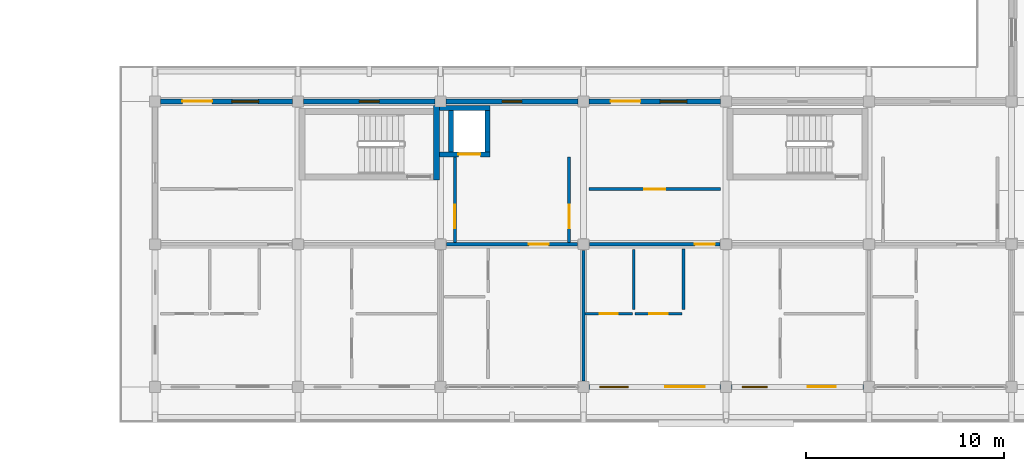
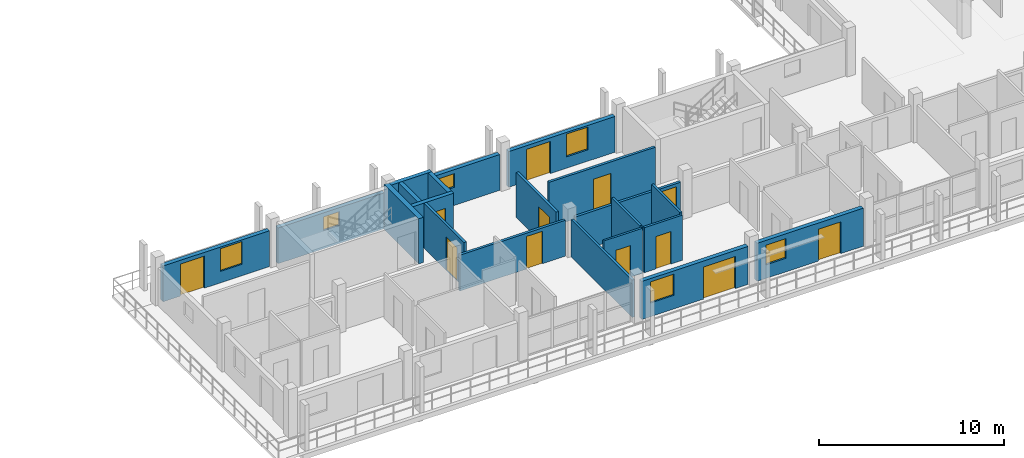
# One storey, part 45 of 73: 21 walls, 12 doors, 6 windows, 18 openings.
"""IFC4 building model written with IfcOpenShell, lengths in metres."""

from ifc_helpers import new_model, si_unit, direction, frame, frame_2d, origin, place, context, subcontext, project, spatial, rectangle, extrude, material, layer, layer_set, type_object, element, fill, save


model = new_model("IFC4")

# Units and contexts
model_context = context("Model", 3, precision=1e-05, world=origin(), true_north=direction((0.0, 1.0)))
body_context = subcontext(model_context, "Body", "Model", "MODEL_VIEW")
ifc_project = project(units=[si_unit("LENGTHUNIT", "METRE"), si_unit("AREAUNIT", "SQUARE_METRE"), si_unit("VOLUMEUNIT", "CUBIC_METRE"), si_unit("PLANEANGLEUNIT", "RADIAN"), si_unit("MASSUNIT", "GRAM", prefix="KILO")], contexts=[model_context])

# Site, building, storey
site_placement = place(None, origin())
site = spatial("IfcSite", under=ifc_project, at=site_placement, CompositionType="ELEMENT")
building_placement = place(site_placement, origin())
building = spatial("IfcBuilding", under=site, at=building_placement, Name="Suanplinth Sawtooth Commons", CompositionType="ELEMENT")
storey_placement = place(building_placement, frame((0.0, 0.0, 21.89990234375)))
storey = spatial("IfcBuildingStorey", under=building, at=storey_placement, Name="L06", CompositionType="ELEMENT", Elevation=21.89990234375)

# Wall
ifc_material_1 = material(Name="Concrete C40/50", Category="concrete")
ifc_layer_1 = layer(ifc_material_1, 0.300048828125, Name="Standard RC stair and lift core wall 300mm")
ifc_layer_set_1 = layer_set([ifc_layer_1], Name="Concrete C40/50")
wall_type_1 = type_object("IfcWallType", Name="W-CR02", PredefinedType="SHEAR", material=ifc_layer_set_1)
wall_1_placement = place(storey_placement, frame((143.800048828125, 10.449951171875, 0.0), z_axis=(0.0, 0.0, 1.0), x_axis=(0.0, 1.0, 0.0)))
element("IfcWall", 1, at=wall_1_placement, inside=storey, type_object=wall_type_1, Name="W-L06-C-C1-STE", PredefinedType="SHEAR", context=body_context, shape_type="SweptSolid", body=[
    extrude(rectangle(XDim=3.75, YDim=0.300048828125, at=frame_2d((1.875, 0.0))), origin(), (0.0, 0.0, 1.0), 2.97998046875),
])

# Wall, openings, door, window
ifc_material_2 = material(Name="Precast concrete C40/50", Category="concrete")
ifc_layer_2 = layer(ifc_material_2, 0.260009765625, Name="Insulated precast courtyard facade wall 260mm")
ifc_layer_set_2 = layer_set([ifc_layer_2], Name="Precast concrete C40/50")
wall_type_2 = type_object("IfcWallType", Name="W-EX02", PredefinedType="ELEMENTEDWALL", material=ifc_layer_set_2)
wall_2_placement = place(storey_placement, frame((129.875, 14.39990234375, 0.0), z_axis=(0.0, 0.0, 1.0), x_axis=(1.0, 0.0, 0.0)))
wall_2 = element("IfcWall", 2, at=wall_2_placement, inside=storey, type_object=wall_type_2, Name="Facade Wall W-L06-C-N-18-1", PredefinedType="ELEMENTEDWALL", context=body_context, shape_type="SweptSolid", body=[
    extrude(rectangle(XDim=6.64990234375, YDim=0.260009765625, at=frame_2d((3.324951171875, 0.0))), origin(), (0.0, 0.0, 1.0), 2.364990234375),
])
opening_1_placement = place(wall_2_placement, frame((1.10009765625, 0.0, 0.0)))
opening_1 = element("IfcOpeningElement", 3, at=opening_1_placement, cuts=wall_2, Name="Opening ED0519", PredefinedType="OPENING", context=body_context, shape_type="SweptSolid", body=[
    extrude(rectangle(XDim=1.5, YDim=2.1201171875, at=frame_2d((0.75, 1.06005859375))), frame((0.0, 0.14501953125, 0.0), z_axis=(0.0, -1.0, 0.0), x_axis=(1.0, 0.0, 0.0)), (0.0, 0.0, 1.0), 0.289794921875),
])
opening_2_placement = place(wall_2_placement, frame((3.60009765625, 0.0, 0.7548828125)))
opening_2 = element("IfcOpeningElement", 4, at=opening_2_placement, cuts=wall_2, Name="Opening W0604", PredefinedType="OPENING", context=body_context, shape_type="SweptSolid", body=[
    extrude(rectangle(XDim=1.35009765625, YDim=1.5, at=frame_2d((0.675048828125, 0.75))), frame((0.0, 0.14501953125, 0.0), z_axis=(0.0, -1.0, 0.0), x_axis=(1.0, 0.0, 0.0)), (0.0, 0.0, 1.0), 0.289794921875),
])
ifc_material_3 = material(Name="Anodized aluminium and low-E glass", Category="aluminium")
door_type_1 = type_object("IfcDoorType", Name="SD-03", OperationType="SLIDING_TO_LEFT", PredefinedType="DOOR", material=ifc_material_3)
door_1_placement = place(opening_1_placement, frame((1.5, 0.0, 0.0), z_axis=(0.0, 0.0, 1.0), x_axis=(-1.0, 0.0, 0.0)))
door_1 = element("IfcDoor", 5, at=door_1_placement, inside=storey, type_object=door_type_1, Name="Courtyard Balcony Door L06-C-18", OperationType="SLIDING_TO_LEFT", OverallHeight=2.1201171875, OverallWidth=1.5, PredefinedType="DOOR", context=body_context, shape_type="SweptSolid", body=[
    extrude(rectangle(XDim=1.5, YDim=2.1201171875, at=frame_2d((0.75, 1.06005859375))), frame((0.0, 0.02490234375, 0.0), z_axis=(0.0, -1.0, 0.0), x_axis=(1.0, 0.0, 0.0)), (0.0, 0.0, 1.0), 0.050048828125),
])
fill(opening_1, door_1)
ifc_material_4 = material(Name="Thermally broken aluminium and low-E double glazing", Category="aluminium")
window_type_1 = type_object("IfcWindowType", Name="WN-14", PartitioningType="SINGLE_PANEL", PredefinedType="WINDOW", material=ifc_material_4)
window_1_placement = place(opening_2_placement, origin())
window_1 = element("IfcWindow", 6, at=window_1_placement, inside=storey, type_object=window_type_1, Name="Courtyard Window L06-C-18", OverallHeight=1.5, OverallWidth=1.35009765625, PartitioningType="SINGLE_PANEL", PredefinedType="WINDOW", context=body_context, shape_type="SweptSolid", body=[
    extrude(rectangle(XDim=1.35009765625, YDim=1.5, at=frame_2d((0.675048828125, 0.75))), frame((0.0, 0.030029296875, 0.0), z_axis=(0.0, -1.0, 0.0), x_axis=(1.0, 0.0, 0.0)), (0.0, 0.0, 1.0), 0.06005859375),
])
fill(opening_2, window_1)

# Wall, opening, window
wall_3_placement = place(storey_placement, frame((137.074951171875, 14.39990234375, 0.0), z_axis=(0.0, 0.0, 1.0), x_axis=(1.0, 0.0, 0.0)))
wall_3 = element("IfcWall", 7, at=wall_3_placement, inside=storey, type_object=wall_type_2, Name="Facade Wall W-L06-C-N-19-1", PredefinedType="ELEMENTEDWALL", context=body_context, shape_type="SweptSolid", body=[
    extrude(rectangle(XDim=6.650146484375, YDim=0.260009765625, at=frame_2d((3.3251953125, 0.0))), origin(), (0.0, 0.0, 1.0), 2.364990234375),
])
opening_3_placement = place(wall_3_placement, frame((2.824951171875, 0.0, 1.199951171875)))
opening_3 = element("IfcOpeningElement", 8, at=opening_3_placement, cuts=wall_3, Name="Opening W0607", PredefinedType="OPENING", context=body_context, shape_type="SweptSolid", body=[
    extrude(rectangle(XDim=1.0, YDim=0.89990234375, at=frame_2d((0.5, 0.449951171875))), frame((0.0, 0.14501953125, 0.0), z_axis=(0.0, -1.0, 0.0), x_axis=(1.0, 0.0, 0.0)), (0.0, 0.0, 1.0), 0.289794921875),
])
window_type_2 = type_object("IfcWindowType", Name="WN-12", PartitioningType="SINGLE_PANEL", PredefinedType="WINDOW", material=ifc_material_4)
window_2_placement = place(opening_3_placement, origin())
window_2 = element("IfcWindow", 9, at=window_2_placement, inside=storey, type_object=window_type_2, Name="Core Daylight Window L06-C-19-1", OverallHeight=0.89990234375, OverallWidth=1.0, PartitioningType="SINGLE_PANEL", PredefinedType="WINDOW", context=body_context, shape_type="SweptSolid", body=[
    extrude(rectangle(XDim=1.0, YDim=0.89990234375, at=frame_2d((0.5, 0.449951171875))), frame((0.0, 0.030029296875, 0.0), z_axis=(0.0, -1.0, 0.0), x_axis=(1.0, 0.0, 0.0)), (0.0, 0.0, 1.0), 0.06005859375),
])
fill(opening_3, window_2)

wall_4_placement = place(storey_placement, frame((144.27490234375, 14.39990234375, 0.0), z_axis=(0.0, 0.0, 1.0), x_axis=(1.0, 0.0, 0.0)))
wall_4 = element("IfcWall", 10, at=wall_4_placement, inside=storey, type_object=wall_type_2, Name="Facade Wall W-L06-C-N-20-1", PredefinedType="ELEMENTEDWALL", context=body_context, shape_type="SweptSolid", body=[
    extrude(rectangle(XDim=6.650146484375, YDim=0.260009765625, at=frame_2d((3.3251953125, 0.0))), origin(), (0.0, 0.0, 1.0), 2.364990234375),
])
opening_4_placement = place(wall_4_placement, frame((2.824951171875, 0.0, 1.199951171875)))
opening_4 = element("IfcOpeningElement", 11, at=opening_4_placement, cuts=wall_4, Name="Opening W0608", PredefinedType="OPENING", context=body_context, shape_type="SweptSolid", body=[
    extrude(rectangle(XDim=1.0, YDim=0.89990234375, at=frame_2d((0.5, 0.449951171875))), frame((0.0, 0.14501953125, 0.0), z_axis=(0.0, -1.0, 0.0), x_axis=(1.0, 0.0, 0.0)), (0.0, 0.0, 1.0), 0.289794921875),
])
window_3_placement = place(opening_4_placement, origin())
window_3 = element("IfcWindow", 12, at=window_3_placement, inside=storey, type_object=window_type_2, Name="Core Daylight Window L06-C-20-1", OverallHeight=0.89990234375, OverallWidth=1.0, PartitioningType="SINGLE_PANEL", PredefinedType="WINDOW", context=body_context, shape_type="SweptSolid", body=[
    extrude(rectangle(XDim=1.0, YDim=0.89990234375, at=frame_2d((0.5, 0.449951171875))), frame((0.0, 0.030029296875, 0.0), z_axis=(0.0, -1.0, 0.0), x_axis=(1.0, 0.0, 0.0)), (0.0, 0.0, 1.0), 0.06005859375),
])
fill(opening_4, window_3)

# Wall, openings, door, window
wall_5_placement = place(storey_placement, frame((151.47509765625, 0.0, 0.0), z_axis=(0.0, 0.0, 1.0), x_axis=(1.0, 0.0, 0.0)))
wall_5 = element("IfcWall", 13, at=wall_5_placement, inside=storey, type_object=wall_type_2, Name="Facade Wall W-L06-C-S-21-0", PredefinedType="ELEMENTEDWALL", context=body_context, shape_type="SweptSolid", body=[
    extrude(rectangle(XDim=6.64990234375, YDim=0.260009765625, at=frame_2d((3.324951171875, 0.0))), origin(), (0.0, 0.0, 1.0), 2.51513671875),
])
opening_5_placement = place(wall_5_placement, frame((3.85009765625, 0.0, 0.0)))
opening_5 = element("IfcOpeningElement", 14, at=opening_5_placement, cuts=wall_5, Name="Opening ED0521", PredefinedType="OPENING", context=body_context, shape_type="SweptSolid", body=[
    extrude(rectangle(XDim=2.0, YDim=2.1201171875, at=frame_2d((1.0, 1.06005859375))), frame((0.0, 0.14501953125, 0.0), z_axis=(0.0, -1.0, 0.0), x_axis=(1.0, 0.0, 0.0)), (0.0, 0.0, 1.0), 0.289794921875),
])
opening_6_placement = place(wall_5_placement, frame((0.550048828125, 0.0, 0.89990234375)))
opening_6 = element("IfcOpeningElement", 15, at=opening_6_placement, cuts=wall_5, Name="Opening W0609", PredefinedType="OPENING", context=body_context, shape_type="SweptSolid", body=[
    extrude(rectangle(XDim=1.449951171875, YDim=1.39990234375, at=frame_2d((0.72509765625, 0.699951171875))), frame((0.0, 0.14501953125, 0.0), z_axis=(0.0, -1.0, 0.0), x_axis=(1.0, 0.0, 0.0)), (0.0, 0.0, 1.0), 0.289794921875),
])
door_type_2 = type_object("IfcDoorType", Name="SD-06", OperationType="DOUBLE_DOOR_SLIDING", PredefinedType="DOOR", material=ifc_material_3)
door_2_placement = place(opening_5_placement, frame((2.0, 0.0, 0.0), z_axis=(0.0, 0.0, 1.0), x_axis=(-1.0, 0.0, 0.0)))
door_2 = element("IfcDoor", 16, at=door_2_placement, inside=storey, type_object=door_type_2, Name="Balcony Sliding Door L06-C-21", OperationType="DOUBLE_DOOR_SLIDING", OverallHeight=2.1201171875, OverallWidth=2.0, PredefinedType="DOOR", context=body_context, shape_type="SweptSolid", body=[
    extrude(rectangle(XDim=2.0, YDim=2.1201171875, at=frame_2d((1.0, 1.06005859375))), frame((0.0, 0.02490234375, 0.0), z_axis=(0.0, -1.0, 0.0), x_axis=(1.0, 0.0, 0.0)), (0.0, 0.0, 1.0), 0.050048828125),
])
fill(opening_5, door_2)
window_type_3 = type_object("IfcWindowType", Name="WN-16", PartitioningType="DOUBLE_PANEL_VERTICAL", PredefinedType="WINDOW", material=ifc_material_4)
window_4_placement = place(opening_6_placement, origin())
window_4 = element("IfcWindow", 17, at=window_4_placement, inside=storey, type_object=window_type_3, Name="Apartment Window L06-C-21", OverallHeight=1.39990234375, OverallWidth=1.449951171875, PartitioningType="DOUBLE_PANEL_VERTICAL", PredefinedType="WINDOW", context=body_context, shape_type="SweptSolid", body=[
    extrude(rectangle(XDim=1.449951171875, YDim=1.39990234375, at=frame_2d((0.72509765625, 0.699951171875))), frame((0.0, 0.030029296875, 0.0), z_axis=(0.0, -1.0, 0.0), x_axis=(1.0, 0.0, 0.0)), (0.0, 0.0, 1.0), 0.06005859375),
])
fill(opening_6, window_4)

wall_6_placement = place(storey_placement, frame((151.47509765625, 14.39990234375, 0.0), z_axis=(0.0, 0.0, 1.0), x_axis=(1.0, 0.0, 0.0)))
wall_6 = element("IfcWall", 18, at=wall_6_placement, inside=storey, type_object=wall_type_2, Name="Facade Wall W-L06-C-N-21-1", PredefinedType="ELEMENTEDWALL", context=body_context, shape_type="SweptSolid", body=[
    extrude(rectangle(XDim=6.64990234375, YDim=0.260009765625, at=frame_2d((3.324951171875, 0.0))), origin(), (0.0, 0.0, 1.0), 2.364990234375),
])
opening_7_placement = place(wall_6_placement, frame((1.10009765625, 0.0, 0.0)))
opening_7 = element("IfcOpeningElement", 19, at=opening_7_placement, cuts=wall_6, Name="Opening ED0522", PredefinedType="OPENING", context=body_context, shape_type="SweptSolid", body=[
    extrude(rectangle(XDim=1.5, YDim=2.1201171875, at=frame_2d((0.75, 1.06005859375))), frame((0.0, 0.14501953125, 0.0), z_axis=(0.0, -1.0, 0.0), x_axis=(1.0, 0.0, 0.0)), (0.0, 0.0, 1.0), 0.289794921875),
])
opening_8_placement = place(wall_6_placement, frame((3.60009765625, 0.0, 0.7548828125)))
opening_8 = element("IfcOpeningElement", 20, at=opening_8_placement, cuts=wall_6, Name="Opening W0610", PredefinedType="OPENING", context=body_context, shape_type="SweptSolid", body=[
    extrude(rectangle(XDim=1.35009765625, YDim=1.5, at=frame_2d((0.675048828125, 0.75))), frame((0.0, 0.14501953125, 0.0), z_axis=(0.0, -1.0, 0.0), x_axis=(1.0, 0.0, 0.0)), (0.0, 0.0, 1.0), 0.289794921875),
])
door_3_placement = place(opening_7_placement, frame((1.5, 0.0, 0.0), z_axis=(0.0, 0.0, 1.0), x_axis=(-1.0, 0.0, 0.0)))
door_3 = element("IfcDoor", 21, at=door_3_placement, inside=storey, type_object=door_type_1, Name="Courtyard Balcony Door L06-C-21", OperationType="SLIDING_TO_LEFT", OverallHeight=2.1201171875, OverallWidth=1.5, PredefinedType="DOOR", context=body_context, shape_type="SweptSolid", body=[
    extrude(rectangle(XDim=1.5, YDim=2.1201171875, at=frame_2d((0.75, 1.06005859375))), frame((0.0, 0.02490234375, 0.0), z_axis=(0.0, -1.0, 0.0), x_axis=(1.0, 0.0, 0.0)), (0.0, 0.0, 1.0), 0.050048828125),
])
fill(opening_7, door_3)
window_5_placement = place(opening_8_placement, origin())
window_5 = element("IfcWindow", 22, at=window_5_placement, inside=storey, type_object=window_type_1, Name="Courtyard Window L06-C-21", OverallHeight=1.5, OverallWidth=1.35009765625, PartitioningType="SINGLE_PANEL", PredefinedType="WINDOW", context=body_context, shape_type="SweptSolid", body=[
    extrude(rectangle(XDim=1.35009765625, YDim=1.5, at=frame_2d((0.675048828125, 0.75))), frame((0.0, 0.030029296875, 0.0), z_axis=(0.0, -1.0, 0.0), x_axis=(1.0, 0.0, 0.0)), (0.0, 0.0, 1.0), 0.06005859375),
])
fill(opening_8, window_5)

wall_7_placement = place(storey_placement, frame((158.675048828125, 0.0, 0.0), z_axis=(0.0, 0.0, 1.0), x_axis=(1.0, 0.0, 0.0)))
wall_7 = element("IfcWall", 23, at=wall_7_placement, inside=storey, type_object=wall_type_2, Name="Facade Wall W-L06-C-S-22-0", PredefinedType="ELEMENTEDWALL", context=body_context, shape_type="SweptSolid", body=[
    extrude(rectangle(XDim=6.64990234375, YDim=0.260009765625, at=frame_2d((3.324951171875, 0.0))), origin(), (0.0, 0.0, 1.0), 2.51513671875),
])
opening_9_placement = place(wall_7_placement, frame((3.85009765625, 0.0, 0.0)))
opening_9 = element("IfcOpeningElement", 24, at=opening_9_placement, cuts=wall_7, Name="Opening ED0523", PredefinedType="OPENING", context=body_context, shape_type="SweptSolid", body=[
    extrude(rectangle(XDim=1.39990234375, YDim=2.10009765625, at=frame_2d((0.699951171875, 1.050048828125))), frame((0.0, 0.14501953125, 0.0), z_axis=(0.0, -1.0, 0.0), x_axis=(1.0, 0.0, 0.0)), (0.0, 0.0, 1.0), 0.289794921875),
])
opening_10_placement = place(wall_7_placement, frame((0.550048828125, 0.0, 0.89990234375)))
opening_10 = element("IfcOpeningElement", 25, at=opening_10_placement, cuts=wall_7, Name="Opening W0611", PredefinedType="OPENING", context=body_context, shape_type="SweptSolid", body=[
    extrude(rectangle(XDim=1.25, YDim=1.300048828125, at=frame_2d((0.625, 0.64990234375))), frame((0.0, 0.14501953125, 0.0), z_axis=(0.0, -1.0, 0.0), x_axis=(1.0, 0.0, 0.0)), (0.0, 0.0, 1.0), 0.289794921875),
])
door_type_3 = type_object("IfcDoorType", Name="SD-07", OperationType="SLIDING_TO_RIGHT", PredefinedType="DOOR", material=ifc_material_3)
door_4_placement = place(opening_9_placement, frame((1.39990234375, 0.0, 0.0), z_axis=(0.0, 0.0, 1.0), x_axis=(-1.0, 0.0, 0.0)))
door_4 = element("IfcDoor", 26, at=door_4_placement, inside=storey, type_object=door_type_3, Name="Balcony Sliding Door L06-C-22", OperationType="SLIDING_TO_RIGHT", OverallHeight=2.10009765625, OverallWidth=1.39990234375, PredefinedType="DOOR", context=body_context, shape_type="SweptSolid", body=[
    extrude(rectangle(XDim=1.39990234375, YDim=2.10009765625, at=frame_2d((0.699951171875, 1.050048828125))), frame((0.0, 0.02490234375, 0.0), z_axis=(0.0, -1.0, 0.0), x_axis=(1.0, 0.0, 0.0)), (0.0, 0.0, 1.0), 0.050048828125),
])
fill(opening_9, door_4)
window_type_4 = type_object("IfcWindowType", Name="WN-17", PartitioningType="SINGLE_PANEL", PredefinedType="WINDOW", material=ifc_material_4)
window_6_placement = place(opening_10_placement, origin())
window_6 = element("IfcWindow", 27, at=window_6_placement, inside=storey, type_object=window_type_4, Name="Apartment Window L06-C-22", OverallHeight=1.300048828125, OverallWidth=1.25, PartitioningType="SINGLE_PANEL", PredefinedType="WINDOW", context=body_context, shape_type="SweptSolid", body=[
    extrude(rectangle(XDim=1.25, YDim=1.300048828125, at=frame_2d((0.625, 0.64990234375))), frame((0.0, 0.030029296875, 0.0), z_axis=(0.0, -1.0, 0.0), x_axis=(1.0, 0.0, 0.0)), (0.0, 0.0, 1.0), 0.06005859375),
])
fill(opening_10, window_6)

# Wall, opening, door
ifc_layer_3 = layer(ifc_material_2, 0.159912109375, Name="Fire-rated corridor and lobby wall 160mm")
ifc_layer_set_3 = layer_set([ifc_layer_3], Name="Precast concrete C40/50")
wall_type_3 = type_object("IfcWallType", Name="W-FW01", PredefinedType="PARTITIONING", material=ifc_layer_set_3)
wall_8_placement = place(storey_placement, frame((144.719970703125, 7.280029296875, 0.0), z_axis=(0.0, 0.0, 1.0), x_axis=(0.0, 1.0, 0.0)))
wall_8 = element("IfcWall", 28, at=wall_8_placement, inside=storey, type_object=wall_type_3, Name="W-L06-C-C1-LOB-W", PredefinedType="PARTITIONING", context=body_context, shape_type="SweptSolid", body=[
    extrude(rectangle(XDim=4.320068359375, YDim=0.159912109375, at=frame_2d((2.16015625, 0.0))), origin(), (0.0, 0.0, 1.0), 2.97998046875),
])
opening_11_placement = place(wall_8_placement, frame((0.719970703125, 0.0, 0.0)))
opening_11 = element("IfcOpeningElement", 29, at=opening_11_placement, cuts=wall_8, Name="Opening FD0305", PredefinedType="OPENING", context=body_context, shape_type="SweptSolid", body=[
    extrude(rectangle(XDim=1.199951171875, YDim=2.199951171875, at=frame_2d((0.60009765625, 1.10009765625))), frame((0.0, 0.0947265625, 0.0), z_axis=(0.0, -1.0, 0.0), x_axis=(1.0, 0.0, 0.0)), (0.0, 0.0, 1.0), 0.189697265625),
])
ifc_material_5 = material(Name="Teak hardwood fire-rated door assembly", Category="wood")
door_type_4 = type_object("IfcDoorType", Name="FD-02", OperationType="NOTDEFINED", PredefinedType="DOOR", material=ifc_material_5)
door_5_placement = place(opening_11_placement, origin())
door_5 = element("IfcDoor", 30, at=door_5_placement, inside=storey, type_object=door_type_4, Name="Lobby Fire Door FD0305", OperationType="SINGLE_SWING_LEFT", OverallHeight=2.199951171875, OverallWidth=1.199951171875, PredefinedType="DOOR", context=body_context, shape_type="SweptSolid", body=[
    extrude(rectangle(XDim=1.199951171875, YDim=2.199951171875, at=frame_2d((0.60009765625, 1.10009765625))), frame((0.0, 0.02490234375, 0.0), z_axis=(0.0, -1.0, 0.0), x_axis=(1.0, 0.0, 0.0)), (0.0, 0.0, 1.0), 0.050048828125),
])
fill(opening_11, door_5)

wall_9_placement = place(storey_placement, frame((150.47998046875, 7.280029296875, 0.0), z_axis=(0.0, 0.0, 1.0), x_axis=(0.0, 1.0, 0.0)))
wall_9 = element("IfcWall", 31, at=wall_9_placement, inside=storey, type_object=wall_type_3, Name="W-L06-C-C1-LOB-E", PredefinedType="PARTITIONING", context=body_context, shape_type="SweptSolid", body=[
    extrude(rectangle(XDim=4.320068359375, YDim=0.159912109375, at=frame_2d((2.16015625, 0.0))), origin(), (0.0, 0.0, 1.0), 2.97998046875),
])
opening_12_placement = place(wall_9_placement, frame((0.719970703125, 0.0, 0.0)))
opening_12 = element("IfcOpeningElement", 32, at=opening_12_placement, cuts=wall_9, Name="Opening FD0306", PredefinedType="OPENING", context=body_context, shape_type="SweptSolid", body=[
    extrude(rectangle(XDim=1.199951171875, YDim=2.199951171875, at=frame_2d((0.60009765625, 1.10009765625))), frame((0.0, 0.0947265625, 0.0), z_axis=(0.0, -1.0, 0.0), x_axis=(1.0, 0.0, 0.0)), (0.0, 0.0, 1.0), 0.189697265625),
])
door_6_placement = place(opening_12_placement, frame((1.199951171875, 0.0, 0.0), z_axis=(0.0, 0.0, 1.0), x_axis=(-1.0, 0.0, 0.0)))
door_6 = element("IfcDoor", 33, at=door_6_placement, inside=storey, type_object=door_type_4, Name="Lobby Fire Door FD0306", OperationType="SINGLE_SWING_RIGHT", OverallHeight=2.199951171875, OverallWidth=1.199951171875, PredefinedType="DOOR", context=body_context, shape_type="SweptSolid", body=[
    extrude(rectangle(XDim=1.199951171875, YDim=2.199951171875, at=frame_2d((0.60009765625, 1.10009765625))), frame((0.0, 0.02490234375, 0.0), z_axis=(0.0, -1.0, 0.0), x_axis=(1.0, 0.0, 0.0)), (0.0, 0.0, 1.0), 0.050048828125),
])
fill(opening_12, door_6)

wall_10_placement = place(storey_placement, frame((144.304931640625, 7.199951171875, 0.0), z_axis=(0.0, 0.0, 1.0), x_axis=(1.0, 0.0, 0.0)))
wall_10 = element("IfcWall", 34, at=wall_10_placement, inside=storey, type_object=wall_type_3, Name="W-C-L06-U02-COR", PredefinedType="PARTITIONING", context=body_context, shape_type="SweptSolid", body=[
    extrude(rectangle(XDim=6.590087890625, YDim=0.159912109375, at=frame_2d((3.294921875, 0.0))), origin(), (0.0, 0.0, 1.0), 2.364990234375),
])
opening_13_placement = place(wall_10_placement, frame((4.14501953125, 0.0, 0.0)))
opening_13 = element("IfcOpeningElement", 35, at=opening_13_placement, cuts=wall_10, Name="Opening FD1443", PredefinedType="OPENING", context=body_context, shape_type="SweptSolid", body=[
    extrude(rectangle(XDim=1.0, YDim=2.14990234375, at=frame_2d((0.5, 1.074951171875))), frame((0.0, 0.0947265625, 0.0), z_axis=(0.0, -1.0, 0.0), x_axis=(1.0, 0.0, 0.0)), (0.0, 0.0, 1.0), 0.189697265625),
])
door_type_5 = type_object("IfcDoorType", Name="FD-03", OperationType="NOTDEFINED", PredefinedType="DOOR", material=ifc_material_5)
door_7_placement = place(opening_13_placement, frame((1.0, 0.0, 0.0), z_axis=(0.0, 0.0, 1.0), x_axis=(-1.0, 0.0, 0.0)))
door_7 = element("IfcDoor", 36, at=door_7_placement, inside=storey, type_object=door_type_5, Name="Unit Entrance Door FD1443", OperationType="SINGLE_SWING_LEFT", OverallHeight=2.14990234375, OverallWidth=1.0, PredefinedType="DOOR", context=body_context, shape_type="SweptSolid", body=[
    extrude(rectangle(XDim=1.0, YDim=2.14990234375, at=frame_2d((0.5, 1.074951171875))), frame((0.0, 0.02490234375, 0.0), z_axis=(0.0, -1.0, 0.0), x_axis=(1.0, 0.0, 0.0)), (0.0, 0.0, 1.0), 0.050048828125),
])
fill(opening_13, door_7)

wall_11_placement = place(storey_placement, frame((151.5048828125, 7.199951171875, 0.0), z_axis=(0.0, 0.0, 1.0), x_axis=(1.0, 0.0, 0.0)))
wall_11 = element("IfcWall", 37, at=wall_11_placement, inside=storey, type_object=wall_type_3, Name="W-C-L06-U03-COR-S1", PredefinedType="PARTITIONING", context=body_context, shape_type="SweptSolid", body=[
    extrude(rectangle(XDim=6.590087890625, YDim=0.159912109375, at=frame_2d((3.294921875, 0.0))), origin(), (0.0, 0.0, 1.0), 2.364990234375),
])
opening_14_placement = place(wall_11_placement, frame((5.324951171875, 0.0, 0.0)))
opening_14 = element("IfcOpeningElement", 38, at=opening_14_placement, cuts=wall_11, Name="Opening FD1446", PredefinedType="OPENING", context=body_context, shape_type="SweptSolid", body=[
    extrude(rectangle(XDim=1.0, YDim=2.14990234375, at=frame_2d((0.5, 1.074951171875))), frame((0.0, 0.0947265625, 0.0), z_axis=(0.0, -1.0, 0.0), x_axis=(1.0, 0.0, 0.0)), (0.0, 0.0, 1.0), 0.189697265625),
])
door_8_placement = place(opening_14_placement, frame((1.0, 0.0, 0.0), z_axis=(0.0, 0.0, 1.0), x_axis=(-1.0, 0.0, 0.0)))
door_8 = element("IfcDoor", 39, at=door_8_placement, inside=storey, type_object=door_type_5, Name="Unit Entrance Door FD1446", OperationType="SINGLE_SWING_RIGHT", OverallHeight=2.14990234375, OverallWidth=1.0, PredefinedType="DOOR", context=body_context, shape_type="SweptSolid", body=[
    extrude(rectangle(XDim=1.0, YDim=2.14990234375, at=frame_2d((0.5, 1.074951171875))), frame((0.0, 0.02490234375, 0.0), z_axis=(0.0, -1.0, 0.0), x_axis=(1.0, 0.0, 0.0)), (0.0, 0.0, 1.0), 0.050048828125),
])
fill(opening_14, door_8)

wall_12_placement = place(storey_placement, frame((151.47998046875, 9.97998046875, 0.0), z_axis=(0.0, 0.0, 1.0), x_axis=(1.0, 0.0, 0.0)))
wall_12 = element("IfcWall", 40, at=wall_12_placement, inside=storey, type_object=wall_type_3, Name="W-C-L06-COURTROOM-41-COR", PredefinedType="PARTITIONING", context=body_context, shape_type="SweptSolid", body=[
    extrude(rectangle(XDim=6.64013671875, YDim=0.159912109375, at=frame_2d((3.320068359375, 0.0))), origin(), (0.0, 0.0, 1.0), 2.97998046875),
])
opening_15_placement = place(wall_12_placement, frame((2.780029296875, 0.0, 0.0)))
opening_15 = element("IfcOpeningElement", 41, at=opening_15_placement, cuts=wall_12, Name="Opening D1460", PredefinedType="OPENING", context=body_context, shape_type="SweptSolid", body=[
    extrude(rectangle(XDim=1.080078125, YDim=2.219970703125, at=frame_2d((0.5400390625, 1.10986328125))), frame((0.0, 0.0947265625, 0.0), z_axis=(0.0, -1.0, 0.0), x_axis=(1.0, 0.0, 0.0)), (0.0, 0.0, 1.0), 0.189697265625),
])
ifc_material_6 = material(Name="Teak hardwood", Category="wood")
door_type_6 = type_object("IfcDoorType", Name="D-17", OperationType="NOTDEFINED", PredefinedType="DOOR", material=ifc_material_6)
door_9_placement = place(opening_15_placement, origin())
door_9 = element("IfcDoor", 42, at=door_9_placement, inside=storey, type_object=door_type_6, Name="Study Studio Door D1460", OperationType="SINGLE_SWING_RIGHT", OverallHeight=2.219970703125, OverallWidth=1.080078125, PredefinedType="DOOR", context=body_context, shape_type="SweptSolid", body=[
    extrude(rectangle(XDim=1.080078125, YDim=2.219970703125, at=frame_2d((0.5400390625, 1.10986328125))), frame((0.0, 0.02490234375, 0.0), z_axis=(0.0, -1.0, 0.0), x_axis=(1.0, 0.0, 0.0)), (0.0, 0.0, 1.0), 0.050048828125),
])
fill(opening_15, door_9)

# Wall
ifc_layer_4 = layer(ifc_material_2, 0.14990234375, Name="Acoustic precast party demising wall 150mm")
ifc_layer_set_4 = layer_set([ifc_layer_4], Name="Precast concrete C40/50")
wall_type_4 = type_object("IfcWallType", Name="W-FW02", PredefinedType="PARTITIONING", material=ifc_layer_set_4)
wall_13_placement = place(storey_placement, frame((151.199951171875, 0.304931640625, 0.0), z_axis=(0.0, 0.0, 1.0), x_axis=(0.0, 1.0, 0.0)))
element("IfcWall", 43, at=wall_13_placement, inside=storey, type_object=wall_type_4, Name="W-C-L06-U02-PTY", PredefinedType="PARTITIONING", context=body_context, shape_type="SweptSolid", body=[
    extrude(rectangle(XDim=6.590087890625, YDim=0.14990234375, at=frame_2d((3.294921875, 0.0))), origin(), (0.0, 0.0, 1.0), 2.465087890625),
])

# Wall, opening, door
ifc_material_7 = material(Name="Gypsum plasterboard on steel stud", Category="steel")
ifc_layer_5 = layer(ifc_material_7, 0.139892578125, Name="Fire-rated kitchen partition 140mm")
ifc_layer_set_5 = layer_set([ifc_layer_5], Name="Gypsum plasterboard on steel stud")
wall_type_5 = type_object("IfcWallType", Name="W-PT01", PredefinedType="PARTITIONING", material=ifc_layer_set_5)
wall_14_placement = place(storey_placement, frame((153.800048828125, 3.68994140625, 0.0), z_axis=(0.0, 0.0, 1.0), x_axis=(1.0, 0.0, 0.0)))
wall_14 = element("IfcWall", 44, at=wall_14_placement, inside=storey, type_object=wall_type_5, Name="W-C-L06-U03-KIT1", PredefinedType="PARTITIONING", context=body_context, shape_type="SweptSolid", body=[
    extrude(rectangle(XDim=2.3798828125, YDim=0.139892578125, at=frame_2d((1.18994140625, 0.0))), origin(), (0.0, 0.0, 1.0), 2.97998046875),
])
opening_16_placement = place(wall_14_placement, frame((0.72509765625, 0.0, 0.0)))
opening_16 = element("IfcOpeningElement", 45, at=opening_16_placement, cuts=wall_14, Name="Opening D1448", PredefinedType="OPENING", context=body_context, shape_type="SweptSolid", body=[
    extrude(rectangle(XDim=0.929931640625, YDim=2.139892578125, at=frame_2d((0.46484375, 1.06982421875))), frame((0.0, 0.0849609375, 0.0), z_axis=(0.0, -1.0, 0.0), x_axis=(1.0, 0.0, 0.0)), (0.0, 0.0, 1.0), 0.169677734375),
])
door_type_7 = type_object("IfcDoorType", Name="D-19", OperationType="NOTDEFINED", PredefinedType="DOOR", material=ifc_material_6)
door_10_placement = place(opening_16_placement, origin())
door_10 = element("IfcDoor", 46, at=door_10_placement, inside=storey, type_object=door_type_7, Name="Kitchen Door D1448", OperationType="SINGLE_SWING_RIGHT", OverallHeight=2.139892578125, OverallWidth=0.929931640625, PredefinedType="DOOR", context=body_context, shape_type="SweptSolid", body=[
    extrude(rectangle(XDim=0.929931640625, YDim=2.139892578125, at=frame_2d((0.46484375, 1.06982421875))), frame((0.0, 0.02490234375, 0.0), z_axis=(0.0, -1.0, 0.0), x_axis=(1.0, 0.0, 0.0)), (0.0, 0.0, 1.0), 0.050048828125),
])
fill(opening_16, door_10)

# Wall
wall_15_placement = place(storey_placement, frame((156.25, 3.909912109375, 0.0), z_axis=(0.0, 0.0, 1.0), x_axis=(0.0, 1.0, 0.0)))
element("IfcWall", 47, at=wall_15_placement, inside=storey, type_object=wall_type_5, Name="W-C-L06-U03-KIT2", PredefinedType="PARTITIONING", context=body_context, shape_type="SweptSolid", body=[
    extrude(rectangle(XDim=3.06005859375, YDim=0.139892578125, at=frame_2d((1.530029296875, 0.0))), origin(), (0.0, 0.0, 1.0), 2.97998046875),
])

# Wall, opening, door
ifc_layer_6 = layer(ifc_material_7, 0.1298828125, Name="Moisture-resistant bathroom partition 130mm")
ifc_layer_set_6 = layer_set([ifc_layer_6], Name="Gypsum plasterboard on steel stud")
wall_type_6 = type_object("IfcWallType", Name="W-PT02", PredefinedType="PARTITIONING", material=ifc_layer_set_6)
wall_16_placement = place(storey_placement, frame((151.280029296875, 3.695068359375, 0.0), z_axis=(0.0, 0.0, 1.0), x_axis=(1.0, 0.0, 0.0)))
wall_16 = element("IfcWall", 48, at=wall_16_placement, inside=storey, type_object=wall_type_6, Name="W-C-L06-U03-BTH1", PredefinedType="PARTITIONING", context=body_context, shape_type="SweptSolid", body=[
    extrude(rectangle(XDim=2.39990234375, YDim=0.1298828125, at=frame_2d((1.199951171875, 0.0))), origin(), (0.0, 0.0, 1.0), 2.97998046875),
])
opening_17_placement = place(wall_16_placement, frame((0.75, 0.0, 0.0)))
opening_17 = element("IfcOpeningElement", 49, at=opening_17_placement, cuts=wall_16, Name="Opening D1447", PredefinedType="OPENING", context=body_context, shape_type="SweptSolid", body=[
    extrude(rectangle(XDim=0.89990234375, YDim=2.10009765625, at=frame_2d((0.449951171875, 1.050048828125))), frame((0.0, 0.079833984375, 0.0), z_axis=(0.0, -1.0, 0.0), x_axis=(1.0, 0.0, 0.0)), (0.0, 0.0, 1.0), 0.15966796875),
])
door_type_8 = type_object("IfcDoorType", Name="D-01", OperationType="NOTDEFINED", PredefinedType="DOOR", material=ifc_material_6)
door_11_placement = place(opening_17_placement, origin())
door_11 = element("IfcDoor", 50, at=door_11_placement, inside=storey, type_object=door_type_8, Name="Bathroom Door D1447", OperationType="SINGLE_SWING_LEFT", OverallHeight=2.10009765625, OverallWidth=0.89990234375, PredefinedType="DOOR", context=body_context, shape_type="SweptSolid", body=[
    extrude(rectangle(XDim=0.89990234375, YDim=2.10009765625, at=frame_2d((0.449951171875, 1.050048828125))), frame((0.0, 0.02490234375, 0.0), z_axis=(0.0, -1.0, 0.0), x_axis=(1.0, 0.0, 0.0)), (0.0, 0.0, 1.0), 0.050048828125),
])
fill(opening_17, door_11)

# Wall
wall_17_placement = place(storey_placement, frame((153.7451171875, 3.89990234375, 0.0), z_axis=(0.0, 0.0, 1.0), x_axis=(0.0, 1.0, 0.0)))
element("IfcWall", 51, at=wall_17_placement, inside=storey, type_object=wall_type_6, Name="W-C-L06-U03-BTH2", PredefinedType="PARTITIONING", context=body_context, shape_type="SweptSolid", body=[
    extrude(rectangle(XDim=3.0400390625, YDim=0.1298828125, at=frame_2d((1.52001953125, 0.0))), origin(), (0.0, 0.0, 1.0), 2.97998046875),
])

# Wall, opening, door
ifc_layer_7 = layer(ifc_material_2, 0.25, Name="Precast structural shear wall 250mm")
ifc_layer_set_7 = layer_set([ifc_layer_7], Name="Precast concrete C40/50")
wall_type_7 = type_object("IfcWallType", Name="W-SH01", PredefinedType="SHEAR", material=ifc_layer_set_7)
wall_18_placement = place(storey_placement, frame((143.949951171875, 11.72509765625, 0.0), z_axis=(0.0, 0.0, 1.0), x_axis=(1.0, 0.0, 0.0)))
wall_18 = element("IfcWall", 52, at=wall_18_placement, inside=storey, type_object=wall_type_7, Name="W-L06-LF5-S", PredefinedType="SHEAR", context=body_context, shape_type="SweptSolid", body=[
    extrude(rectangle(XDim=2.550048828125, YDim=0.25, at=frame_2d((1.27490234375, 0.0))), origin(), (0.0, 0.0, 1.0), 2.97998046875),
])
opening_18_placement = place(wall_18_placement, frame((0.949951171875, 0.0, 0.0)))
opening_18 = element("IfcOpeningElement", 53, at=opening_18_placement, cuts=wall_18, Name="Opening LD0307", PredefinedType="OPENING", context=body_context, shape_type="SweptSolid", body=[
    extrude(rectangle(XDim=1.10009765625, YDim=2.14990234375, at=frame_2d((0.550048828125, 1.074951171875))), frame((0.0, 0.139892578125, 0.0), z_axis=(0.0, -1.0, 0.0), x_axis=(1.0, 0.0, 0.0)), (0.0, 0.0, 1.0), 0.27978515625),
])
ifc_material_8 = material(Name="Stainless steel Grade 304", Category="steel")
door_type_9 = type_object("IfcDoorType", Name="LD-01", OperationType="SLIDING_TO_LEFT", PredefinedType="DOOR", material=ifc_material_8)
door_12_placement = place(opening_18_placement, frame((1.10009765625, 0.0, 0.0), z_axis=(0.0, 0.0, 1.0), x_axis=(-1.0, 0.0, 0.0)))
door_12 = element("IfcDoor", 54, at=door_12_placement, inside=storey, type_object=door_type_9, Name="Lift Landing Sliding Door LF5 L06", OperationType="SLIDING_TO_LEFT", OverallHeight=2.14990234375, OverallWidth=1.10009765625, PredefinedType="DOOR", context=body_context, shape_type="SweptSolid", body=[
    extrude(rectangle(XDim=1.10009765625, YDim=2.14990234375, at=frame_2d((0.550048828125, 1.074951171875))), frame((0.0, 0.02490234375, 0.0), z_axis=(0.0, -1.0, 0.0), x_axis=(1.0, 0.0, 0.0)), (0.0, 0.0, 1.0), 0.050048828125),
])
fill(opening_18, door_12)

# Walls
wall_19_placement = place(storey_placement, frame((143.949951171875, 14.074951171875, 0.0), z_axis=(0.0, 0.0, 1.0), x_axis=(1.0, 0.0, 0.0)))
element("IfcWall", 55, at=wall_19_placement, inside=storey, type_object=wall_type_7, Name="W-L06-LF5-N", PredefinedType="SHEAR", context=body_context, shape_type="SweptSolid", body=[
    extrude(rectangle(XDim=2.550048828125, YDim=0.25, at=frame_2d((1.27490234375, 0.0))), origin(), (0.0, 0.0, 1.0), 2.97998046875),
])
for number, where, z_axis, x_axis, name in (
    (56, (144.52490234375, 11.85009765625, 0.0), (0.0, 0.0, 1.0), (0.0, 1.0, 0.0), "W-L06-LF5-W"),
    (57, (146.375, 11.85009765625, 0.0), (0.0, 0.0, 1.0), (0.0, 1.0, 0.0), "W-L06-LF5-E"),
):
    element("IfcWall", number, at=place(storey_placement, frame(where, z_axis=z_axis, x_axis=x_axis)), inside=storey, type_object=wall_type_7, Name=name, PredefinedType="SHEAR", context=body_context, shape_type="SweptSolid", body=[
        extrude(rectangle(XDim=2.099853515625, YDim=0.25, at=frame_2d((1.0498046875, 0.0))), origin(), (0.0, 0.0, 1.0), 2.97998046875),
    ])

save(model, "model.ifc")
